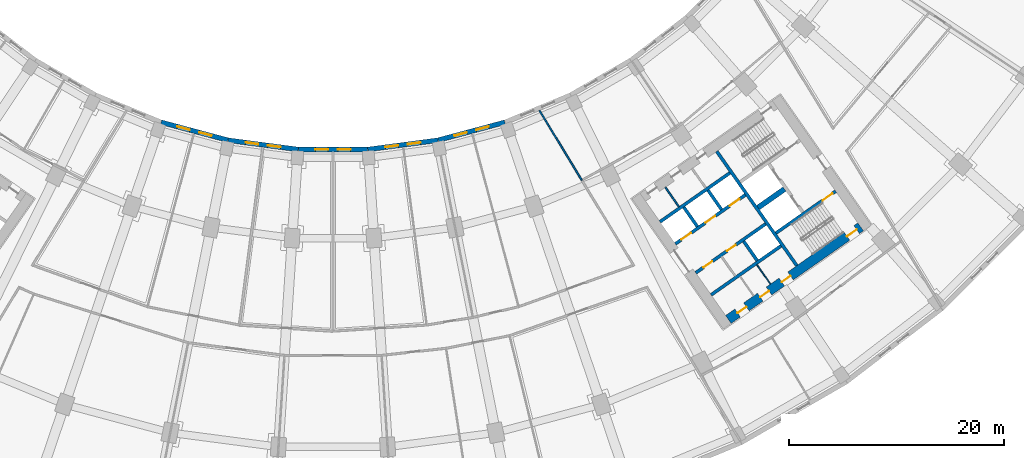
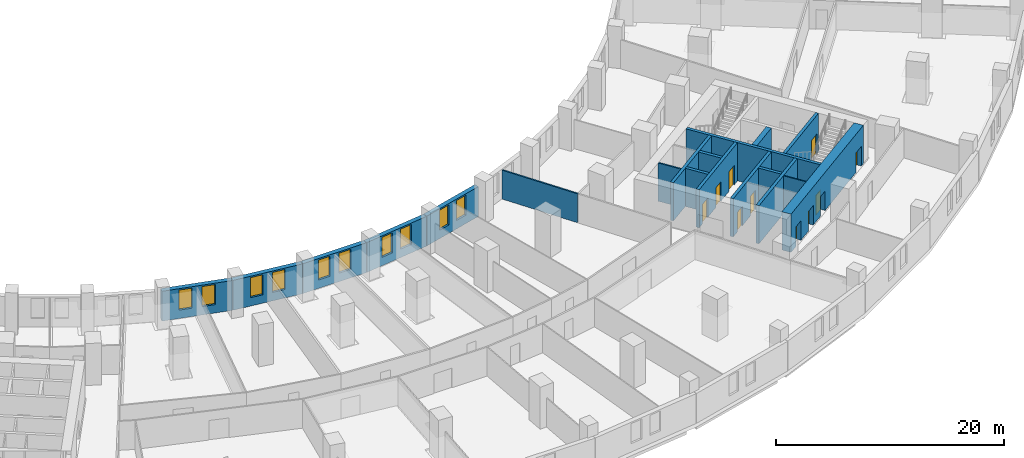
# One storey, part 10 of 20: 19 walls, 10 doors, 10 windows, 20 openings.
"""IFC4 building model written with IfcOpenShell, lengths in metres."""

from ifc_helpers import new_model, si_unit, direction, frame, frame_2d, origin, place, context, subcontext, project, spatial, rectangle, extrude, material, layer, layer_set, type_object, element, fill, save


model = new_model("IFC4")

# Units and contexts
model_context = context("Model", 3, precision=1e-05, world=origin(), true_north=direction((0.0, 1.0)))
body_context = subcontext(model_context, "Body", "Model", "MODEL_VIEW")
ifc_project = project(units=[si_unit("LENGTHUNIT", "METRE"), si_unit("AREAUNIT", "SQUARE_METRE"), si_unit("VOLUMEUNIT", "CUBIC_METRE"), si_unit("PLANEANGLEUNIT", "RADIAN"), si_unit("MASSUNIT", "GRAM", prefix="KILO")], contexts=[model_context])

# Site, building, storey
site_placement = place(None, origin())
site = spatial("IfcSite", under=ifc_project, at=site_placement, CompositionType="ELEMENT")
building_placement = place(site_placement, origin())
building = spatial("IfcBuilding", under=site, at=building_placement, Name="Qamariyya Broadcast Tower", CompositionType="ELEMENT")
storey_placement = place(building_placement, frame((0.0, 0.0, 27.0)))
storey = spatial("IfcBuildingStorey", under=building, at=storey_placement, Name="L03", CompositionType="ELEMENT", Elevation=27.0)

# Wall, openings, doors
ifc_material_1 = material(Name="Concrete C70/85", Category="concrete")
ifc_layer_1 = layer(ifc_material_1, 0.89990234375)
ifc_layer_set_1 = layer_set([ifc_layer_1], Name="Core wall 900 mm Concrete C70/85")
wall_type_1 = type_object("IfcWallType", Name="Core wall 900 mm Concrete C70/85", PredefinedType="SHEAR", material=ifc_layer_set_1)
wall_1_placement = place(storey_placement, frame((36.827392578125, -65.710205078125, 0.0), z_axis=(0.0, 0.0, 1.0), x_axis=(0.819153391756, 0.573574511963, 0.0)))
wall_1 = element("IfcWall", 1, at=wall_1_placement, inside=storey, type_object=wall_type_1, Name="k-E-L03-WO", PredefinedType="SHEAR", context=body_context, shape_type="SweptSolid", body=[
    extrude(rectangle(XDim=15.04541015625, YDim=0.89990234375, at=frame_2d((7.522705078125, 0.0))), origin(), (0.0, 0.0, 1.0), 4.10009765625),
])
opening_1_placement = place(wall_1_placement, frame((1.050048828125, 0.0, 0.0)))
opening_1 = element("IfcOpeningElement", 2, at=opening_1_placement, cuts=wall_1, Name="Opening KD4-E2", PredefinedType="OPENING", context=body_context, shape_type="SweptSolid", body=[
    extrude(rectangle(XDim=1.0, YDim=2.10009765625, at=frame_2d((0.5, 1.050048828125))), frame((0.0, 0.4599609375, 0.0), z_axis=(0.0, -1.0, 0.0), x_axis=(1.0, 0.0, 0.0)), (0.0, 0.0, 1.0), 0.919921875),
])
opening_2_placement = place(wall_1_placement, frame((3.625, 0.0, 0.0)))
opening_2 = element("IfcOpeningElement", 3, at=opening_2_placement, cuts=wall_1, Name="Opening KD4-E3", PredefinedType="OPENING", context=body_context, shape_type="SweptSolid", body=[
    extrude(rectangle(XDim=1.0, YDim=2.10009765625, at=frame_2d((0.5, 1.050048828125))), frame((0.0, 0.4599609375, 0.0), z_axis=(0.0, -1.0, 0.0), x_axis=(1.0, 0.0, 0.0)), (0.0, 0.0, 1.0), 0.919921875),
])
opening_3_placement = place(wall_1_placement, frame((6.074951171875, 0.0, 0.0)))
opening_3 = element("IfcOpeningElement", 4, at=opening_3_placement, cuts=wall_1, Name="Opening KD6-E3", PredefinedType="OPENING", context=body_context, shape_type="SweptSolid", body=[
    extrude(rectangle(XDim=1.0, YDim=2.10009765625, at=frame_2d((0.5, 1.050048828125))), frame((0.0, 0.4599609375, 0.0), z_axis=(0.0, -1.0, 0.0), x_axis=(1.0, 0.0, 0.0)), (0.0, 0.0, 1.0), 0.919921875),
])
opening_4_placement = place(wall_1_placement, frame((13.495361328125, 0.0, 0.0)))
opening_4 = element("IfcOpeningElement", 5, at=opening_4_placement, cuts=wall_1, Name="Opening KD1-E3", PredefinedType="OPENING", context=body_context, shape_type="SweptSolid", body=[
    extrude(rectangle(XDim=1.10009765625, YDim=2.10009765625, at=frame_2d((0.550048828125, 1.050048828125))), frame((0.0, 0.4599609375, 0.0), z_axis=(0.0, -1.0, 0.0), x_axis=(1.0, 0.0, 0.0)), (0.0, 0.0, 1.0), 0.919921875),
])
ifc_material_2 = material(Name="Steel fire-resisting door leaf", Category="steel")
door_type_1 = type_object("IfcDoorType", Name="Core room door KD6", OperationType="SINGLE_SWING_LEFT", PredefinedType="DOOR", material=ifc_material_2)
door_1_placement = place(opening_3_placement, origin())
door_1 = element("IfcDoor", 6, at=door_1_placement, inside=storey, type_object=door_type_1, Name="k-E-L03-WO-D12", OperationType="SINGLE_SWING_RIGHT", OverallHeight=2.10009765625, OverallWidth=1.0, PredefinedType="DOOR", context=body_context, shape_type="SweptSolid", body=[
    extrude(rectangle(XDim=1.0, YDim=2.10009765625, at=frame_2d((0.5, 1.050048828125))), frame((0.0, 0.02490234375, 0.0), z_axis=(0.0, -1.0, 0.0), x_axis=(1.0, 0.0, 0.0)), (0.0, 0.0, 1.0), 0.050048828125),
])
fill(opening_3, door_1)
door_type_2 = type_object("IfcDoorType", Name="Riser and plant door KD4", OperationType="SINGLE_SWING_LEFT", PredefinedType="DOOR", material=ifc_material_2)
door_2_placement = place(opening_1_placement, origin())
door_2 = element("IfcDoor", 7, at=door_2_placement, inside=storey, type_object=door_type_2, Name="k-E-L03-WO-D10", OperationType="SINGLE_SWING_RIGHT", OverallHeight=2.10009765625, OverallWidth=1.0, PredefinedType="DOOR", context=body_context, shape_type="SweptSolid", body=[
    extrude(rectangle(XDim=1.0, YDim=2.10009765625, at=frame_2d((0.5, 1.050048828125))), frame((0.0, 0.02490234375, 0.0), z_axis=(0.0, -1.0, 0.0), x_axis=(1.0, 0.0, 0.0)), (0.0, 0.0, 1.0), 0.050048828125),
])
fill(opening_1, door_2)
door_3_placement = place(opening_2_placement, origin())
door_3 = element("IfcDoor", 8, at=door_3_placement, inside=storey, type_object=door_type_2, Name="k-E-L03-WO-D11", OperationType="SINGLE_SWING_LEFT", OverallHeight=2.10009765625, OverallWidth=1.0, PredefinedType="DOOR", context=body_context, shape_type="SweptSolid", body=[
    extrude(rectangle(XDim=1.0, YDim=2.10009765625, at=frame_2d((0.5, 1.050048828125))), frame((0.0, 0.02490234375, 0.0), z_axis=(0.0, -1.0, 0.0), x_axis=(1.0, 0.0, 0.0)), (0.0, 0.0, 1.0), 0.050048828125),
])
fill(opening_2, door_3)
door_type_3 = type_object("IfcDoorType", Name="Stair door KD1", OperationType="SINGLE_SWING_LEFT", PredefinedType="DOOR", material=ifc_material_2)
door_4_placement = place(opening_4_placement, origin())
door_4 = element("IfcDoor", 9, at=door_4_placement, inside=storey, type_object=door_type_3, Name="k-E-L03-WO-D18", OperationType="SINGLE_SWING_LEFT", OverallHeight=2.10009765625, OverallWidth=1.10009765625, PredefinedType="DOOR", context=body_context, shape_type="SweptSolid", body=[
    extrude(rectangle(XDim=1.10009765625, YDim=2.10009765625, at=frame_2d((0.550048828125, 1.050048828125))), frame((0.0, 0.02490234375, 0.0), z_axis=(0.0, -1.0, 0.0), x_axis=(1.0, 0.0, 0.0)), (0.0, 0.0, 1.0), 0.050048828125),
])
fill(opening_4, door_4)

# Walls
ifc_material_3 = material(Name="Gypsum board partition")
ifc_layer_2 = layer(ifc_material_3, 0.14990234375)
ifc_layer_set_2 = layer_set([ifc_layer_2], Name="Corridor partition 150 EI 60")
wall_type_2 = type_object("IfcWallType", Name="Corridor partition 150 EI 60", PredefinedType="PARTITIONING", material=ifc_layer_set_2)
wall_2_placement = place(storey_placement, frame((19.2314453125, -46.2490234375, 0.0), z_axis=(0.0, 0.0, 1.0), x_axis=(0.519582509181, -0.854420280748, 0.0)))
element("IfcWall", 10, at=wall_2_placement, inside=storey, type_object=wall_type_2, Name="Partition L03-047", PredefinedType="PARTITIONING", context=body_context, shape_type="SweptSolid", body=[
    extrude(rectangle(XDim=7.588134765625, YDim=0.14990234375, at=frame_2d((3.7939453125, 0.0))), origin(), (0.0, 0.0, 1.0), 3.10009765625),
])
ifc_material_4 = material(Name="Concrete C60/75", Category="concrete")
ifc_layer_3 = layer(ifc_material_4, 0.5)
ifc_layer_set_3 = layer_set([ifc_layer_3], Name="Fire-fighting lobby divider wall 500 mm Concrete C60/75")
wall_type_3 = type_object("IfcWallType", Name="Fire-fighting lobby divider wall 500 mm Concrete C60/75", PredefinedType="SOLIDWALL", material=ifc_layer_set_3)
wall_3_placement = place(storey_placement, frame((39.59912109375, -55.28515625, 0.0), z_axis=(0.0, 0.0, 1.0), x_axis=(0.819136323161, 0.573598887793, 0.0)))
element("IfcWall", 11, at=wall_3_placement, inside=storey, type_object=wall_type_3, Name="k-E-L03-FD", PredefinedType="SOLIDWALL", context=body_context, shape_type="SweptSolid", body=[
    extrude(rectangle(XDim=2.999755859375, YDim=0.5, at=frame_2d((1.5, 0.0))), origin(), (0.0, 0.0, 1.0), 4.10009765625),
])
ifc_material_5 = material(Name="Gypsum board partition on steel studs", Category="steel")
ifc_layer_4 = layer(ifc_material_5, 0.14990234375)
ifc_layer_set_4 = layer_set([ifc_layer_4], Name="Gypsum board partition 150 mm")
wall_type_4 = type_object("IfcWallType", Name="Gypsum board partition 150 mm", PredefinedType="PARTITIONING", material=ifc_layer_set_4)
wall_4_placement = place(storey_placement, frame((32.2177734375, -55.204345703125, 0.0), z_axis=(0.0, 0.0, 1.0), x_axis=(-0.573581496053, 0.819148501424, 0.0)))
element("IfcWall", 12, at=wall_4_placement, inside=storey, type_object=wall_type_4, Name="k-E-L03-NP225", PredefinedType="PARTITIONING", context=body_context, shape_type="SweptSolid", body=[
    extrude(rectangle(XDim=2.2001953125, YDim=0.14990234375, at=frame_2d((1.10009765625, 0.0))), origin(), (0.0, 0.0, 1.0), 4.10009765625),
])
ifc_layer_5 = layer(ifc_material_4, 0.300048828125)
ifc_layer_set_5 = layer_set([ifc_layer_5], Name="Lift shaft wall 300 mm Concrete C60/75")
wall_type_5 = type_object("IfcWallType", Name="Lift shaft wall 300 mm Concrete C60/75", PredefinedType="SOLIDWALL", material=ifc_layer_set_5)
wall_5_placement = place(storey_placement, frame((43.204345703125, -60.69580078125, 0.0), z_axis=(0.0, 0.0, 1.0), x_axis=(-0.573571992966, 0.819155155563, 0.0)))
element("IfcWall", 13, at=wall_5_placement, inside=storey, type_object=wall_type_5, Name="k-E-L03-WL", PredefinedType="SOLIDWALL", context=body_context, shape_type="SweptSolid", body=[
    extrude(rectangle(XDim=13.000244140625, YDim=0.300048828125, at=frame_2d((6.5, 0.0))), origin(), (0.0, 0.0, 1.0), 4.10009765625),
])

# Wall, openings, doors
wall_6_placement = place(storey_placement, frame((31.89453125, -58.66552734375, 0.0), z_axis=(0.0, 0.0, 1.0), x_axis=(0.819166993208, 0.573555086491, 0.0)))
wall_6 = element("IfcWall", 14, at=wall_6_placement, inside=storey, type_object=wall_type_5, Name="k-E-L03-NF0", PredefinedType="SOLIDWALL", context=body_context, shape_type="SweptSolid", body=[
    extrude(rectangle(XDim=7.9501953125, YDim=0.300048828125, at=frame_2d((3.97509765625, 0.0))), origin(), (0.0, 0.0, 1.0), 4.10009765625),
])
opening_5_placement = place(wall_6_placement, frame((0.675048828125, 0.0, 0.0)))
opening_5 = element("IfcOpeningElement", 15, at=opening_5_placement, cuts=wall_6, Name="Opening LD", PredefinedType="OPENING", context=body_context, shape_type="SweptSolid", body=[
    extrude(rectangle(XDim=1.10009765625, YDim=2.10009765625, at=frame_2d((0.550048828125, 1.050048828125))), frame((0.0, 0.159912109375, 0.0), z_axis=(0.0, -1.0, 0.0), x_axis=(1.0, 0.0, 0.0)), (0.0, 0.0, 1.0), 0.320068359375),
])
opening_6_placement = place(wall_6_placement, frame((3.425048828125, 0.0, 0.0)))
opening_6 = element("IfcOpeningElement", 16, at=opening_6_placement, cuts=wall_6, Name="Opening LD", PredefinedType="OPENING", context=body_context, shape_type="SweptSolid", body=[
    extrude(rectangle(XDim=1.10009765625, YDim=2.10009765625, at=frame_2d((0.550048828125, 1.050048828125))), frame((0.0, 0.159912109375, 0.0), z_axis=(0.0, -1.0, 0.0), x_axis=(1.0, 0.0, 0.0)), (0.0, 0.0, 1.0), 0.320068359375),
])
opening_7_placement = place(wall_6_placement, frame((6.175048828125, 0.0, 0.0)))
opening_7 = element("IfcOpeningElement", 17, at=opening_7_placement, cuts=wall_6, Name="Opening LD", PredefinedType="OPENING", context=body_context, shape_type="SweptSolid", body=[
    extrude(rectangle(XDim=1.10009765625, YDim=2.10009765625, at=frame_2d((0.550048828125, 1.050048828125))), frame((0.0, 0.159912109375, 0.0), z_axis=(0.0, -1.0, 0.0), x_axis=(1.0, 0.0, 0.0)), (0.0, 0.0, 1.0), 0.320068359375),
])
door_type_4 = type_object("IfcDoorType", Name="Lift landing door LD", OperationType="DOUBLE_DOOR_SLIDING", PredefinedType="DOOR", material=ifc_material_2)
door_5_placement = place(opening_5_placement, origin())
door_5 = element("IfcDoor", 18, at=door_5_placement, inside=storey, type_object=door_type_4, Name="k-E-L03-NF0-D2", OperationType="DOUBLE_DOOR_SLIDING", OverallHeight=2.10009765625, OverallWidth=1.10009765625, PredefinedType="DOOR", context=body_context, shape_type="SweptSolid", body=[
    extrude(rectangle(XDim=1.10009765625, YDim=2.10009765625, at=frame_2d((0.550048828125, 1.050048828125))), frame((0.0, 0.02490234375, 0.0), z_axis=(0.0, -1.0, 0.0), x_axis=(1.0, 0.0, 0.0)), (0.0, 0.0, 1.0), 0.050048828125),
])
fill(opening_5, door_5)
door_6_placement = place(opening_6_placement, origin())
door_6 = element("IfcDoor", 19, at=door_6_placement, inside=storey, type_object=door_type_4, Name="k-E-L03-NF0-D3", OperationType="DOUBLE_DOOR_SLIDING", OverallHeight=2.10009765625, OverallWidth=1.10009765625, PredefinedType="DOOR", context=body_context, shape_type="SweptSolid", body=[
    extrude(rectangle(XDim=1.10009765625, YDim=2.10009765625, at=frame_2d((0.550048828125, 1.050048828125))), frame((0.0, 0.02490234375, 0.0), z_axis=(0.0, -1.0, 0.0), x_axis=(1.0, 0.0, 0.0)), (0.0, 0.0, 1.0), 0.050048828125),
])
fill(opening_6, door_6)
door_7_placement = place(opening_7_placement, origin())
door_7 = element("IfcDoor", 20, at=door_7_placement, inside=storey, type_object=door_type_4, Name="k-E-L03-NF0-D4", OperationType="DOUBLE_DOOR_SLIDING", OverallHeight=2.10009765625, OverallWidth=1.10009765625, PredefinedType="DOOR", context=body_context, shape_type="SweptSolid", body=[
    extrude(rectangle(XDim=1.10009765625, YDim=2.10009765625, at=frame_2d((0.550048828125, 1.050048828125))), frame((0.0, 0.02490234375, 0.0), z_axis=(0.0, -1.0, 0.0), x_axis=(1.0, 0.0, 0.0)), (0.0, 0.0, 1.0), 0.050048828125),
])
fill(opening_7, door_7)

# Walls
wall_7_placement = place(storey_placement, frame((30.460693359375, -56.61767578125, 0.0), z_axis=(0.0, 0.0, 1.0), x_axis=(0.819142461705, 0.573590121456, 0.0)))
element("IfcWall", 21, at=wall_7_placement, inside=storey, type_object=wall_type_5, Name="k-E-L03-NB0", PredefinedType="SOLIDWALL", context=body_context, shape_type="SweptSolid", body=[
    extrude(rectangle(XDim=7.949951171875, YDim=0.300048828125, at=frame_2d((3.97509765625, 0.0))), origin(), (0.0, 0.0, 1.0), 4.10009765625),
])
wall_8_placement = place(storey_placement, frame((33.9384765625, -57.051513671875, 0.0), z_axis=(0.0, 0.0, 1.0), x_axis=(-0.573581496053, 0.819148501424, 0.0)))
element("IfcWall", 22, at=wall_8_placement, inside=storey, type_object=wall_type_5, Name="k-E-L03-ND0", PredefinedType="SOLIDWALL", context=body_context, shape_type="SweptSolid", body=[
    extrude(rectangle(XDim=2.2001953125, YDim=0.300048828125, at=frame_2d((1.10009765625, 0.0))), origin(), (0.0, 0.0, 1.0), 4.10009765625),
])
wall_9_placement = place(storey_placement, frame((36.19091796875, -55.47412109375, 0.0), z_axis=(0.0, 0.0, 1.0), x_axis=(-0.573507030513, 0.819200638399, 0.0)))
element("IfcWall", 23, at=wall_9_placement, inside=storey, type_object=wall_type_5, Name="k-E-L03-ND1", PredefinedType="SOLIDWALL", context=body_context, shape_type="SweptSolid", body=[
    extrude(rectangle(XDim=2.199951171875, YDim=0.300048828125, at=frame_2d((1.10009765625, 0.0))), origin(), (0.0, 0.0, 1.0), 4.10009765625),
])

# Wall, openings, doors
wall_10_placement = place(storey_placement, frame((33.787353515625, -61.368896484375, 0.0), z_axis=(0.0, 0.0, 1.0), x_axis=(0.819152564888, 0.573575692858, 0.0)))
wall_10 = element("IfcWall", 24, at=wall_10_placement, inside=storey, type_object=wall_type_5, Name="k-E-L03-SF0", PredefinedType="SOLIDWALL", context=body_context, shape_type="SweptSolid", body=[
    extrude(rectangle(XDim=7.9501953125, YDim=0.300048828125, at=frame_2d((3.97509765625, 0.0))), origin(), (0.0, 0.0, 1.0), 4.10009765625),
])
opening_8_placement = place(wall_10_placement, frame((0.887451171875, 0.0, 0.0)))
opening_8 = element("IfcOpeningElement", 25, at=opening_8_placement, cuts=wall_10, Name="Opening KD4-E1", PredefinedType="OPENING", context=body_context, shape_type="SweptSolid", body=[
    extrude(rectangle(XDim=1.0, YDim=2.10009765625, at=frame_2d((0.5, 1.050048828125))), frame((0.0, 0.159912109375, 0.0), z_axis=(0.0, -1.0, 0.0), x_axis=(1.0, 0.0, 0.0)), (0.0, 0.0, 1.0), 0.320068359375),
])
opening_9_placement = place(wall_10_placement, frame((3.5625, 0.0, 0.0)))
opening_9 = element("IfcOpeningElement", 26, at=opening_9_placement, cuts=wall_10, Name="Opening KD6-E1", PredefinedType="OPENING", context=body_context, shape_type="SweptSolid", body=[
    extrude(rectangle(XDim=1.0, YDim=2.10009765625, at=frame_2d((0.5, 1.050048828125))), frame((0.0, 0.159912109375, 0.0), z_axis=(0.0, -1.0, 0.0), x_axis=(1.0, 0.0, 0.0)), (0.0, 0.0, 1.0), 0.320068359375),
])
door_8_placement = place(opening_9_placement, origin())
door_8 = element("IfcDoor", 27, at=door_8_placement, inside=storey, type_object=door_type_1, Name="k-E-L03-SF0-D6", OperationType="SINGLE_SWING_RIGHT", OverallHeight=2.10009765625, OverallWidth=1.0, PredefinedType="DOOR", context=body_context, shape_type="SweptSolid", body=[
    extrude(rectangle(XDim=1.0, YDim=2.10009765625, at=frame_2d((0.5, 1.050048828125))), frame((0.0, 0.02490234375, 0.0), z_axis=(0.0, -1.0, 0.0), x_axis=(1.0, 0.0, 0.0)), (0.0, 0.0, 1.0), 0.050048828125),
])
fill(opening_9, door_8)
door_9_placement = place(opening_8_placement, origin())
door_9 = element("IfcDoor", 28, at=door_9_placement, inside=storey, type_object=door_type_2, Name="k-E-L03-SF0-D5", OperationType="SINGLE_SWING_LEFT", OverallHeight=2.10009765625, OverallWidth=1.0, PredefinedType="DOOR", context=body_context, shape_type="SweptSolid", body=[
    extrude(rectangle(XDim=1.0, YDim=2.10009765625, at=frame_2d((0.5, 1.050048828125))), frame((0.0, 0.02490234375, 0.0), z_axis=(0.0, -1.0, 0.0), x_axis=(1.0, 0.0, 0.0)), (0.0, 0.0, 1.0), 0.050048828125),
])
fill(opening_8, door_9)

# Walls
wall_11_placement = place(storey_placement, frame((35.22119140625, -63.41650390625, 0.0), z_axis=(0.0, 0.0, 1.0), x_axis=(0.819166993208, 0.573555086491, 0.0)))
element("IfcWall", 29, at=wall_11_placement, inside=storey, type_object=wall_type_5, Name="k-E-L03-SB0", PredefinedType="SOLIDWALL", context=body_context, shape_type="SweptSolid", body=[
    extrude(rectangle(XDim=7.9501953125, YDim=0.300048828125, at=frame_2d((3.97509765625, 0.0))), origin(), (0.0, 0.0, 1.0), 4.10009765625),
])
wall_12_placement = place(storey_placement, frame((38.255859375, -58.423095703125, 0.0), z_axis=(0.0, 0.0, 1.0), x_axis=(0.573633636671, -0.819111989218, 0.0)))
element("IfcWall", 30, at=wall_12_placement, inside=storey, type_object=wall_type_5, Name="k-E-L03-SD1", PredefinedType="SOLIDWALL", context=body_context, shape_type="SweptSolid", body=[
    extrude(rectangle(XDim=2.199951171875, YDim=0.300048828125, at=frame_2d((1.10009765625, 0.0))), origin(), (0.0, 0.0, 1.0), 4.10009765625),
])

# Wall, opening, door
wall_13_placement = place(storey_placement, frame((41.262451171875, -57.66064453125, 0.0), z_axis=(0.0, 0.0, 1.0), x_axis=(0.819164398642, 0.573558792102, 0.0)))
wall_13 = element("IfcWall", 31, at=wall_13_placement, inside=storey, type_object=wall_type_5, Name="k-E-L03-SW", PredefinedType="SOLIDWALL", context=body_context, shape_type="SweptSolid", body=[
    extrude(rectangle(XDim=6.795166015625, YDim=0.300048828125, at=frame_2d((3.3974609375, 0.0))), origin(), (0.0, 0.0, 1.0), 4.10009765625),
])
opening_10_placement = place(wall_13_placement, frame((5.3203125, 0.0, 0.0)))
opening_10 = element("IfcOpeningElement", 32, at=opening_10_placement, cuts=wall_13, Name="Opening KD1-E4", PredefinedType="OPENING", context=body_context, shape_type="SweptSolid", body=[
    extrude(rectangle(XDim=1.10009765625, YDim=2.10009765625, at=frame_2d((0.550048828125, 1.050048828125))), frame((0.0, 0.159912109375, 0.0), z_axis=(0.0, -1.0, 0.0), x_axis=(1.0, 0.0, 0.0)), (0.0, 0.0, 1.0), 0.320068359375),
])
door_10_placement = place(opening_10_placement, origin())
door_10 = element("IfcDoor", 33, at=door_10_placement, inside=storey, type_object=door_type_3, Name="k-E-L03-SW-D19", OperationType="SINGLE_SWING_LEFT", OverallHeight=2.10009765625, OverallWidth=1.10009765625, PredefinedType="DOOR", context=body_context, shape_type="SweptSolid", body=[
    extrude(rectangle(XDim=1.10009765625, YDim=2.10009765625, at=frame_2d((0.550048828125, 1.050048828125))), frame((0.0, 0.02490234375, 0.0), z_axis=(0.0, -1.0, 0.0), x_axis=(1.0, 0.0, 0.0)), (0.0, 0.0, 1.0), 0.050048828125),
])
fill(opening_10, door_10)

# Wall, openings, windows
ifc_material_6 = material(Name="Precast concrete C40/50 with terracotta facing", Category="masonry")
ifc_layer_6 = layer(ifc_material_6, 0.449951171875)
ifc_layer_set_6 = layer_set([ifc_layer_6], Name="Precast concrete C40/50 wall 450, terracotta faced")
wall_type_6 = type_object("IfcWallType", Name="Precast concrete C40/50 wall 450, terracotta faced", PredefinedType="SOLIDWALL", material=ifc_layer_set_6)
wall_14_placement = place(storey_placement, frame((3.209716796875, -49.868408203125, 0.0), z_axis=(0.0, 0.0, 1.0), x_axis=(-1.0, 0.0, 0.0)))
wall_14 = element("IfcWall", 34, at=wall_14_placement, inside=storey, type_object=wall_type_6, Name="e-wl-L03-in100", PredefinedType="SOLIDWALL", context=body_context, shape_type="SweptSolid", body=[
    extrude(rectangle(XDim=6.41943359375, YDim=0.449951171875, at=frame_2d((3.209716796875, 0.0))), origin(), (0.0, 0.0, 1.0), 3.199951171875),
])
opening_11_placement = place(wall_14_placement, frame((3.65966796875, 0.0, 0.89990234375)))
opening_11 = element("IfcOpeningElement", 35, at=opening_11_placement, cuts=wall_14, Name="Opening W3", PredefinedType="OPENING", context=body_context, shape_type="SweptSolid", body=[
    extrude(rectangle(XDim=1.199951171875, YDim=2.14990234375, at=frame_2d((0.60009765625, 1.074951171875))), frame((0.0, 0.23486328125, 0.0), z_axis=(0.0, -1.0, 0.0), x_axis=(1.0, 0.0, 0.0)), (0.0, 0.0, 1.0), 0.469970703125),
])
opening_12_placement = place(wall_14_placement, frame((1.5595703125, 0.0, 0.89990234375)))
opening_12 = element("IfcOpeningElement", 36, at=opening_12_placement, cuts=wall_14, Name="Opening W3", PredefinedType="OPENING", context=body_context, shape_type="SweptSolid", body=[
    extrude(rectangle(XDim=1.199951171875, YDim=2.14990234375, at=frame_2d((0.60009765625, 1.074951171875))), frame((0.0, 0.23486328125, 0.0), z_axis=(0.0, -1.0, 0.0), x_axis=(1.0, 0.0, 0.0)), (0.0, 0.0, 1.0), 0.469970703125),
])
ifc_material_7 = material(Name="Clear low-e double glazed unit in aluminium frame", Category="aluminium")
window_type = type_object("IfcWindowType", Name="Podium window 1200 x 2150", PartitioningType="SINGLE_PANEL", PredefinedType="WINDOW", material=ifc_material_7)
window_1_placement = place(opening_11_placement, origin())
window_1 = element("IfcWindow", 37, at=window_1_placement, inside=storey, type_object=window_type, Name="e-w-L03-in10a", OverallHeight=2.14990234375, OverallWidth=1.199951171875, PartitioningType="SINGLE_PANEL", PredefinedType="WINDOW", context=body_context, shape_type="SweptSolid", body=[
    extrude(rectangle(XDim=1.199951171875, YDim=2.14990234375, at=frame_2d((0.60009765625, 1.074951171875))), frame((0.0, 0.030029296875, 0.0), z_axis=(0.0, -1.0, 0.0), x_axis=(1.0, 0.0, 0.0)), (0.0, 0.0, 1.0), 0.06005859375),
])
fill(opening_11, window_1)
window_2_placement = place(opening_12_placement, origin())
window_2 = element("IfcWindow", 38, at=window_2_placement, inside=storey, type_object=window_type, Name="e-w-L03-in10b", OverallHeight=2.14990234375, OverallWidth=1.199951171875, PartitioningType="SINGLE_PANEL", PredefinedType="WINDOW", context=body_context, shape_type="SweptSolid", body=[
    extrude(rectangle(XDim=1.199951171875, YDim=2.14990234375, at=frame_2d((0.60009765625, 1.074951171875))), frame((0.0, 0.030029296875, 0.0), z_axis=(0.0, -1.0, 0.0), x_axis=(1.0, 0.0, 0.0)), (0.0, 0.0, 1.0), 0.06005859375),
])
fill(opening_12, window_2)

wall_15_placement = place(storey_placement, frame((9.779541015625, -49.01123046875, 0.0), z_axis=(0.0, 0.0, 1.0), x_axis=(-0.991445350147, -0.130522479563, 0.0)))
wall_15 = element("IfcWall", 39, at=wall_15_placement, inside=storey, type_object=wall_type_6, Name="e-wl-L03-in110", PredefinedType="SOLIDWALL", context=body_context, shape_type="SweptSolid", body=[
    extrude(rectangle(XDim=6.59716796875, YDim=0.449951171875, at=frame_2d((3.298583984375, 0.0))), origin(), (0.0, 0.0, 1.0), 3.199951171875),
])
opening_13_placement = place(wall_15_placement, frame((3.74853515625, 0.0, 0.89990234375)))
opening_13 = element("IfcOpeningElement", 40, at=opening_13_placement, cuts=wall_15, Name="Opening W3", PredefinedType="OPENING", context=body_context, shape_type="SweptSolid", body=[
    extrude(rectangle(XDim=1.199951171875, YDim=2.14990234375, at=frame_2d((0.60009765625, 1.074951171875))), frame((0.0, 0.23486328125, 0.0), z_axis=(0.0, -1.0, 0.0), x_axis=(1.0, 0.0, 0.0)), (0.0, 0.0, 1.0), 0.469970703125),
])
opening_14_placement = place(wall_15_placement, frame((1.6484375, 0.0, 0.89990234375)))
opening_14 = element("IfcOpeningElement", 41, at=opening_14_placement, cuts=wall_15, Name="Opening W3", PredefinedType="OPENING", context=body_context, shape_type="SweptSolid", body=[
    extrude(rectangle(XDim=1.199951171875, YDim=2.14990234375, at=frame_2d((0.60009765625, 1.074951171875))), frame((0.0, 0.23486328125, 0.0), z_axis=(0.0, -1.0, 0.0), x_axis=(1.0, 0.0, 0.0)), (0.0, 0.0, 1.0), 0.469970703125),
])
window_3_placement = place(opening_13_placement, origin())
window_3 = element("IfcWindow", 42, at=window_3_placement, inside=storey, type_object=window_type, Name="e-w-L03-in11a", OverallHeight=2.14990234375, OverallWidth=1.199951171875, PartitioningType="SINGLE_PANEL", PredefinedType="WINDOW", context=body_context, shape_type="SweptSolid", body=[
    extrude(rectangle(XDim=1.199951171875, YDim=2.14990234375, at=frame_2d((0.60009765625, 1.074951171875))), frame((0.0, 0.030029296875, 0.0), z_axis=(0.0, -1.0, 0.0), x_axis=(1.0, 0.0, 0.0)), (0.0, 0.0, 1.0), 0.06005859375),
])
fill(opening_13, window_3)
window_4_placement = place(opening_14_placement, origin())
window_4 = element("IfcWindow", 43, at=window_4_placement, inside=storey, type_object=window_type, Name="e-w-L03-in11b", OverallHeight=2.14990234375, OverallWidth=1.199951171875, PartitioningType="SINGLE_PANEL", PredefinedType="WINDOW", context=body_context, shape_type="SweptSolid", body=[
    extrude(rectangle(XDim=1.199951171875, YDim=2.14990234375, at=frame_2d((0.60009765625, 1.074951171875))), frame((0.0, 0.030029296875, 0.0), z_axis=(0.0, -1.0, 0.0), x_axis=(1.0, 0.0, 0.0)), (0.0, 0.0, 1.0), 0.06005859375),
])
fill(opening_14, window_4)

wall_16_placement = place(storey_placement, frame((16.007080078125, -47.338623046875, 0.0), z_axis=(0.0, 0.0, 1.0), x_axis=(-0.965926830738, -0.25881529642, 0.0)))
wall_16 = element("IfcWall", 44, at=wall_16_placement, inside=storey, type_object=wall_type_6, Name="e-wl-L03-in120", PredefinedType="SOLIDWALL", context=body_context, shape_type="SweptSolid", body=[
    extrude(rectangle(XDim=6.419189453125, YDim=0.449951171875, at=frame_2d((3.20947265625, 0.0))), origin(), (0.0, 0.0, 1.0), 3.199951171875),
])
opening_15_placement = place(wall_16_placement, frame((3.65966796875, 0.0, 0.89990234375)))
opening_15 = element("IfcOpeningElement", 45, at=opening_15_placement, cuts=wall_16, Name="Opening W3", PredefinedType="OPENING", context=body_context, shape_type="SweptSolid", body=[
    extrude(rectangle(XDim=1.199951171875, YDim=2.14990234375, at=frame_2d((0.60009765625, 1.074951171875))), frame((0.0, 0.23486328125, 0.0), z_axis=(0.0, -1.0, 0.0), x_axis=(1.0, 0.0, 0.0)), (0.0, 0.0, 1.0), 0.469970703125),
])
opening_16_placement = place(wall_16_placement, frame((1.5595703125, 0.0, 0.89990234375)))
opening_16 = element("IfcOpeningElement", 46, at=opening_16_placement, cuts=wall_16, Name="Opening W3", PredefinedType="OPENING", context=body_context, shape_type="SweptSolid", body=[
    extrude(rectangle(XDim=1.199951171875, YDim=2.14990234375, at=frame_2d((0.60009765625, 1.074951171875))), frame((0.0, 0.23486328125, 0.0), z_axis=(0.0, -1.0, 0.0), x_axis=(1.0, 0.0, 0.0)), (0.0, 0.0, 1.0), 0.469970703125),
])
window_5_placement = place(opening_15_placement, origin())
window_5 = element("IfcWindow", 47, at=window_5_placement, inside=storey, type_object=window_type, Name="e-w-L03-in12a", OverallHeight=2.14990234375, OverallWidth=1.199951171875, PartitioningType="SINGLE_PANEL", PredefinedType="WINDOW", context=body_context, shape_type="SweptSolid", body=[
    extrude(rectangle(XDim=1.199951171875, YDim=2.14990234375, at=frame_2d((0.60009765625, 1.074951171875))), frame((0.0, 0.030029296875, 0.0), z_axis=(0.0, -1.0, 0.0), x_axis=(1.0, 0.0, 0.0)), (0.0, 0.0, 1.0), 0.06005859375),
])
fill(opening_15, window_5)
window_6_placement = place(opening_16_placement, origin())
window_6 = element("IfcWindow", 48, at=window_6_placement, inside=storey, type_object=window_type, Name="e-w-L03-in12b", OverallHeight=2.14990234375, OverallWidth=1.199951171875, PartitioningType="SINGLE_PANEL", PredefinedType="WINDOW", context=body_context, shape_type="SweptSolid", body=[
    extrude(rectangle(XDim=1.199951171875, YDim=2.14990234375, at=frame_2d((0.60009765625, 1.074951171875))), frame((0.0, 0.030029296875, 0.0), z_axis=(0.0, -1.0, 0.0), x_axis=(1.0, 0.0, 0.0)), (0.0, 0.0, 1.0), 0.06005859375),
])
fill(opening_16, window_6)

wall_17_placement = place(storey_placement, frame((-9.806640625, -49.0, 0.0), z_axis=(0.0, 0.0, 1.0), x_axis=(-0.965926830738, 0.25881529642, 0.0)))
wall_17 = element("IfcWall", 49, at=wall_17_placement, inside=storey, type_object=wall_type_6, Name="e-wl-L03-in80", PredefinedType="SOLIDWALL", context=body_context, shape_type="SweptSolid", body=[
    extrude(rectangle(XDim=6.419189453125, YDim=0.449951171875, at=frame_2d((3.20947265625, 0.0))), origin(), (0.0, 0.0, 1.0), 3.199951171875),
])
opening_17_placement = place(wall_17_placement, frame((3.65966796875, 0.0, 0.89990234375)))
opening_17 = element("IfcOpeningElement", 50, at=opening_17_placement, cuts=wall_17, Name="Opening W3", PredefinedType="OPENING", context=body_context, shape_type="SweptSolid", body=[
    extrude(rectangle(XDim=1.199951171875, YDim=2.14990234375, at=frame_2d((0.60009765625, 1.074951171875))), frame((0.0, 0.23486328125, 0.0), z_axis=(0.0, -1.0, 0.0), x_axis=(1.0, 0.0, 0.0)), (0.0, 0.0, 1.0), 0.469970703125),
])
opening_18_placement = place(wall_17_placement, frame((1.5595703125, 0.0, 0.89990234375)))
opening_18 = element("IfcOpeningElement", 51, at=opening_18_placement, cuts=wall_17, Name="Opening W3", PredefinedType="OPENING", context=body_context, shape_type="SweptSolid", body=[
    extrude(rectangle(XDim=1.199951171875, YDim=2.14990234375, at=frame_2d((0.60009765625, 1.074951171875))), frame((0.0, 0.23486328125, 0.0), z_axis=(0.0, -1.0, 0.0), x_axis=(1.0, 0.0, 0.0)), (0.0, 0.0, 1.0), 0.469970703125),
])
window_7_placement = place(opening_17_placement, origin())
window_7 = element("IfcWindow", 52, at=window_7_placement, inside=storey, type_object=window_type, Name="e-w-L03-in08a", OverallHeight=2.14990234375, OverallWidth=1.199951171875, PartitioningType="SINGLE_PANEL", PredefinedType="WINDOW", context=body_context, shape_type="SweptSolid", body=[
    extrude(rectangle(XDim=1.199951171875, YDim=2.14990234375, at=frame_2d((0.60009765625, 1.074951171875))), frame((0.0, 0.030029296875, 0.0), z_axis=(0.0, -1.0, 0.0), x_axis=(1.0, 0.0, 0.0)), (0.0, 0.0, 1.0), 0.06005859375),
])
fill(opening_17, window_7)
window_8_placement = place(opening_18_placement, origin())
window_8 = element("IfcWindow", 53, at=window_8_placement, inside=storey, type_object=window_type, Name="e-w-L03-in08b", OverallHeight=2.14990234375, OverallWidth=1.199951171875, PartitioningType="SINGLE_PANEL", PredefinedType="WINDOW", context=body_context, shape_type="SweptSolid", body=[
    extrude(rectangle(XDim=1.199951171875, YDim=2.14990234375, at=frame_2d((0.60009765625, 1.074951171875))), frame((0.0, 0.030029296875, 0.0), z_axis=(0.0, -1.0, 0.0), x_axis=(1.0, 0.0, 0.0)), (0.0, 0.0, 1.0), 0.06005859375),
])
fill(opening_18, window_8)

wall_18_placement = place(storey_placement, frame((-3.23876953125, -49.872314453125, 0.0), z_axis=(0.0, 0.0, 1.0), x_axis=(-0.991445350147, 0.130522479563, 0.0)))
wall_18 = element("IfcWall", 54, at=wall_18_placement, inside=storey, type_object=wall_type_6, Name="e-wl-L03-in90", PredefinedType="SOLIDWALL", context=body_context, shape_type="SweptSolid", body=[
    extrude(rectangle(XDim=6.59716796875, YDim=0.449951171875, at=frame_2d((3.298583984375, 0.0))), origin(), (0.0, 0.0, 1.0), 3.199951171875),
])
opening_19_placement = place(wall_18_placement, frame((3.74853515625, 0.0, 0.89990234375)))
opening_19 = element("IfcOpeningElement", 55, at=opening_19_placement, cuts=wall_18, Name="Opening W3", PredefinedType="OPENING", context=body_context, shape_type="SweptSolid", body=[
    extrude(rectangle(XDim=1.199951171875, YDim=2.14990234375, at=frame_2d((0.60009765625, 1.074951171875))), frame((0.0, 0.23486328125, 0.0), z_axis=(0.0, -1.0, 0.0), x_axis=(1.0, 0.0, 0.0)), (0.0, 0.0, 1.0), 0.469970703125),
])
opening_20_placement = place(wall_18_placement, frame((1.6484375, 0.0, 0.89990234375)))
opening_20 = element("IfcOpeningElement", 56, at=opening_20_placement, cuts=wall_18, Name="Opening W3", PredefinedType="OPENING", context=body_context, shape_type="SweptSolid", body=[
    extrude(rectangle(XDim=1.199951171875, YDim=2.14990234375, at=frame_2d((0.60009765625, 1.074951171875))), frame((0.0, 0.23486328125, 0.0), z_axis=(0.0, -1.0, 0.0), x_axis=(1.0, 0.0, 0.0)), (0.0, 0.0, 1.0), 0.469970703125),
])
window_9_placement = place(opening_19_placement, origin())
window_9 = element("IfcWindow", 57, at=window_9_placement, inside=storey, type_object=window_type, Name="e-w-L03-in09a", OverallHeight=2.14990234375, OverallWidth=1.199951171875, PartitioningType="SINGLE_PANEL", PredefinedType="WINDOW", context=body_context, shape_type="SweptSolid", body=[
    extrude(rectangle(XDim=1.199951171875, YDim=2.14990234375, at=frame_2d((0.60009765625, 1.074951171875))), frame((0.0, 0.030029296875, 0.0), z_axis=(0.0, -1.0, 0.0), x_axis=(1.0, 0.0, 0.0)), (0.0, 0.0, 1.0), 0.06005859375),
])
fill(opening_19, window_9)
window_10_placement = place(opening_20_placement, origin())
window_10 = element("IfcWindow", 58, at=window_10_placement, inside=storey, type_object=window_type, Name="e-w-L03-in09b", OverallHeight=2.14990234375, OverallWidth=1.199951171875, PartitioningType="SINGLE_PANEL", PredefinedType="WINDOW", context=body_context, shape_type="SweptSolid", body=[
    extrude(rectangle(XDim=1.199951171875, YDim=2.14990234375, at=frame_2d((0.60009765625, 1.074951171875))), frame((0.0, 0.030029296875, 0.0), z_axis=(0.0, -1.0, 0.0), x_axis=(1.0, 0.0, 0.0)), (0.0, 0.0, 1.0), 0.06005859375),
])
fill(opening_20, window_10)

# Wall
ifc_material_8 = material(Name="Fire-rated gypsum shaft liner on steel studs", Category="steel")
ifc_layer_7 = layer(ifc_material_8, 0.10009765625)
ifc_layer_set_7 = layer_set([ifc_layer_7], Name="Riser wall 100 mm")
wall_type_7 = type_object("IfcWallType", Name="Riser wall 100 mm", PredefinedType="PLUMBINGWALL", material=ifc_layer_set_7)
wall_19_placement = place(storey_placement, frame((39.485107421875, -60.6142578125, 0.0), z_axis=(0.0, 0.0, 1.0), x_axis=(0.573507030513, -0.819200638399, 0.0)))
element("IfcWall", 59, at=wall_19_placement, inside=storey, type_object=wall_type_7, Name="k-E-L03-SP510", PredefinedType="PLUMBINGWALL", context=body_context, shape_type="SweptSolid", body=[
    extrude(rectangle(XDim=2.199951171875, YDim=0.10009765625, at=frame_2d((1.10009765625, 0.0))), origin(), (0.0, 0.0, 1.0), 4.10009765625),
])

save(model, "model.ifc")
